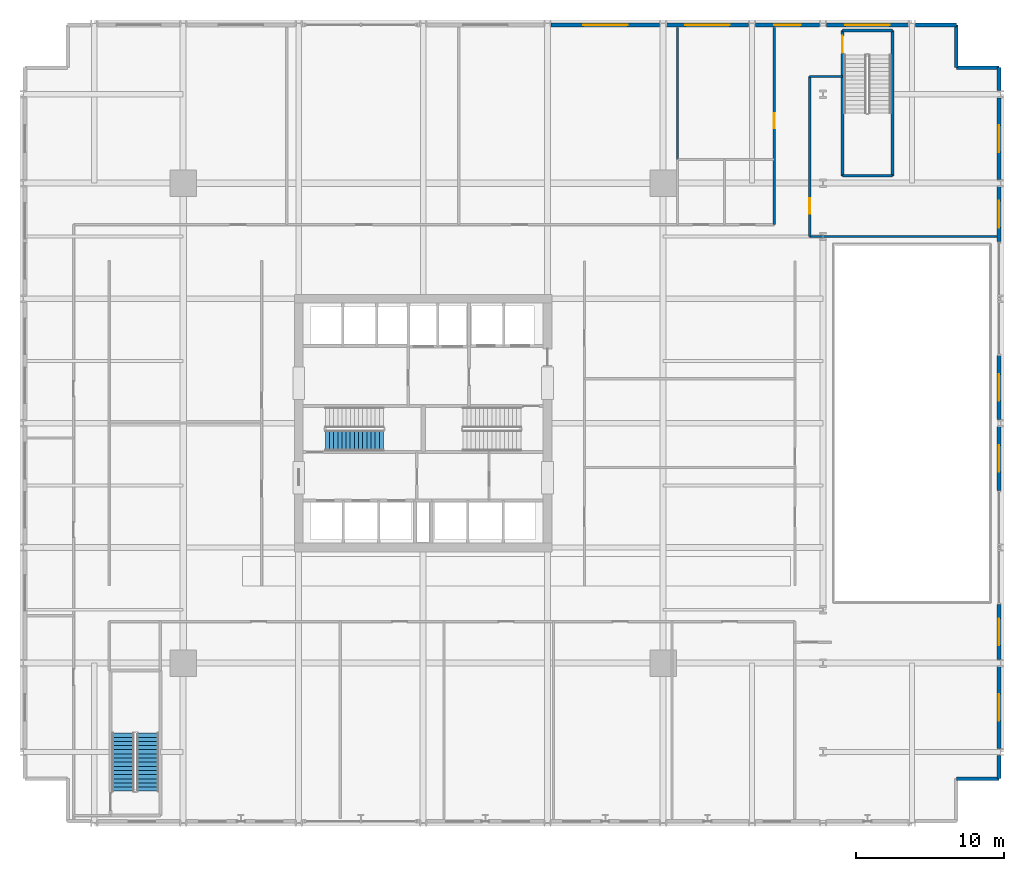
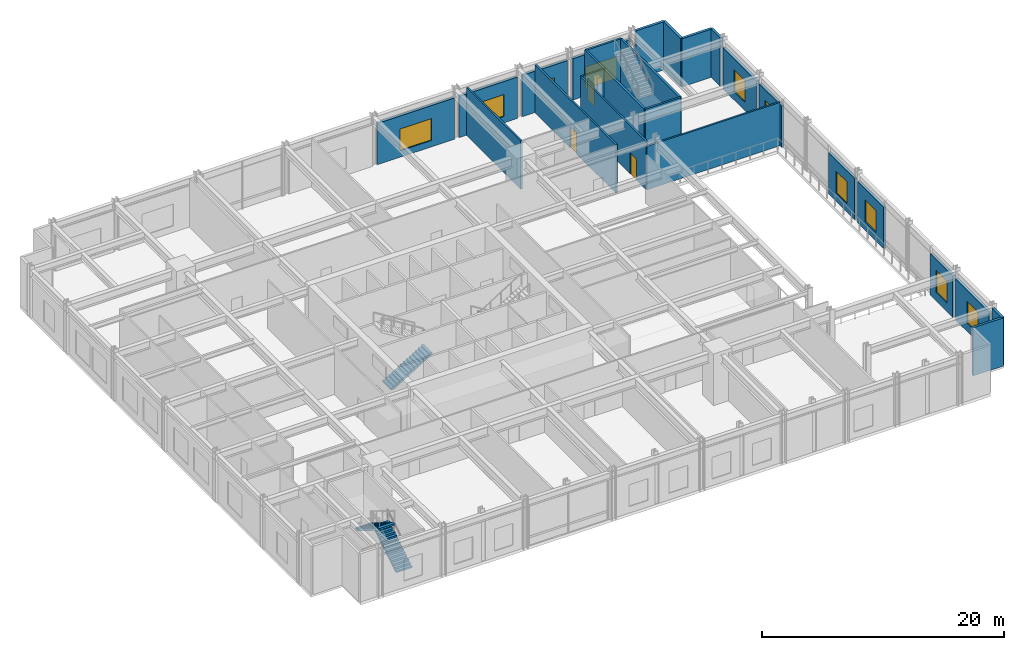
# One storey, part 14 of 21: 25 walls, 10 windows, 3 doors, 3 stair flights, 13 openings, 2 elements without a shape of their own.
"""IFC4 building model written with IfcOpenShell, lengths in metres."""

from ifc_helpers import new_model, si_unit, direction, frame, frame_2d, origin, place, context, subcontext, project, spatial, polyline, rectangle, outline, extrude, material, layer, layer_set, type_object, element, fill, aggregate, save


model = new_model("IFC4")

# Units and contexts
model_context = context("Model", 3, precision=1e-05, world=origin(), true_north=direction((0.0, 1.0)))
body_context = subcontext(model_context, "Body", "Model", "MODEL_VIEW")
ifc_project = project(units=[si_unit("LENGTHUNIT", "METRE"), si_unit("AREAUNIT", "SQUARE_METRE"), si_unit("VOLUMEUNIT", "CUBIC_METRE"), si_unit("PLANEANGLEUNIT", "RADIAN"), si_unit("MASSUNIT", "GRAM", prefix="KILO")], contexts=[model_context])

# Site, building, storey
site_placement = place(None, origin())
site = spatial("IfcSite", under=ifc_project, at=site_placement, CompositionType="ELEMENT")
building_placement = place(site_placement, origin())
building = spatial("IfcBuilding", under=site, at=building_placement, Name="Drelvath Grand Hotel", CompositionType="ELEMENT")
storey_placement = place(building_placement, frame((0.0, 0.0, 22.39990234375)))
storey = spatial("IfcBuildingStorey", under=building, at=storey_placement, Name="L04", CompositionType="ELEMENT", Elevation=22.39990234375)

# Wall, opening, door
ifc_material_1 = material(Name="Concrete C40/50", Category="concrete")
ifc_layer_1 = layer(ifc_material_1, 0.199951171875)
ifc_layer_set_1 = layer_set([ifc_layer_1], Name="Concrete C40/50")
wall_type_1 = type_object("IfcWallType", Name="Core Shaft Fire Wall 200", PredefinedType="SOLIDWALL", material=ifc_layer_set_1)
wall_1_placement = place(storey_placement, frame((28.320068359375, 43.699951171875, 0.0), z_axis=(0.0, 0.0, 1.0), x_axis=(0.0, 1.0, 0.0)))
wall_1 = element("IfcWall", 1, at=wall_1_placement, inside=storey, type_object=wall_type_1, Name="L04 Stair ST-4 West Wall", PredefinedType="SOLIDWALL", context=body_context, shape_type="SweptSolid", body=[
    extrude(rectangle(XDim=9.800048828125, YDim=0.199951171875, at=frame_2d((4.89990234375, 0.0))), origin(), (0.0, 0.0, 1.0), 4.85009765625),
])
opening_1_placement = place(wall_1_placement, frame((8.300048828125, 0.0, 0.0)))
opening_1 = element("IfcOpeningElement", 2, at=opening_1_placement, cuts=wall_1, Name="Opening D-L04-017", PredefinedType="OPENING", context=body_context, shape_type="SweptSolid", body=[
    extrude(rectangle(XDim=1.14990234375, YDim=2.14990234375, at=frame_2d((0.574951171875, 1.074951171875))), frame((0.0, 0.10986328125, 0.0), z_axis=(0.0, -1.0, 0.0), x_axis=(1.0, 0.0, 0.0)), (0.0, 0.0, 1.0), 0.219970703125),
])
ifc_material_2 = material(Name="Painted Steel S275", Category="steel")
door_type_1 = type_object("IfcDoorType", Name="Podium Stairwell Fire Door 1150x2150", OperationType="NOTDEFINED", PredefinedType="DOOR", material=ifc_material_2)
door_1_placement = place(opening_1_placement, origin())
door_1 = element("IfcDoor", 3, at=door_1_placement, inside=storey, type_object=door_type_1, Name="L04 Exit Stair ST-4 Entry Door", OperationType="SINGLE_SWING_RIGHT", OverallHeight=2.14990234375, OverallWidth=1.14990234375, PredefinedType="DOOR", context=body_context, shape_type="SweptSolid", body=[
    extrude(rectangle(XDim=1.14990234375, YDim=2.14990234375, at=frame_2d((0.574951171875, 1.074951171875))), frame((0.0, 0.02490234375, 0.0), z_axis=(0.0, -1.0, 0.0), x_axis=(1.0, 0.0, 0.0)), (0.0, 0.0, 1.0), 0.050048828125),
])
fill(opening_1, door_1)

# Walls
wall_2_placement = place(storey_placement, frame((31.679931640625, 53.5, 0.0), z_axis=(0.0, 0.0, 1.0), x_axis=(0.0, -1.0, 0.0)))
element("IfcWall", 4, at=wall_2_placement, inside=storey, type_object=wall_type_1, Name="L04 Stair ST-4 East Wall", PredefinedType="SOLIDWALL", context=body_context, shape_type="SweptSolid", body=[
    extrude(rectangle(XDim=9.800048828125, YDim=0.199951171875, at=frame_2d((4.89990234375, 0.0))), origin(), (0.0, 0.0, 1.0), 4.85009765625),
])
for number, where, z_axis, x_axis, name in (
    (5, (28.320068359375, 43.699951171875, 0.0), (0.0, 0.0, 1.0), (1.0, 0.0, 0.0), "L04 Stair ST-4 South Wall"),
    (6, (31.679931640625, 53.5, 0.0), (0.0, 0.0, 1.0), (-1.0, 0.0, 0.0), "L04 Stair ST-4 North Wall"),
):
    element("IfcWall", number, at=place(storey_placement, frame(where, z_axis=z_axis, x_axis=x_axis)), inside=storey, type_object=wall_type_1, Name=name, PredefinedType="SOLIDWALL", context=body_context, shape_type="SweptSolid", body=[
        extrude(rectangle(XDim=3.35986328125, YDim=0.199951171875, at=frame_2d((1.679931640625, 0.0))), origin(), (0.0, 0.0, 1.0), 4.85009765625),
    ])
ifc_material_3 = material(Name="Gypsum Acoustic Partition")
ifc_layer_2 = layer(ifc_material_3, 0.14990234375)
ifc_layer_set_2 = layer_set([ifc_layer_2], Name="Gypsum Acoustic Partition")
wall_type_2 = type_object("IfcWallType", Name="Guestroom Demising Wall 150", PredefinedType="PARTITIONING", material=ifc_layer_set_2)
wall_3_placement = place(storey_placement, frame((17.179931640625, 44.800048828125, 0.0), z_axis=(0.0, 0.0, 1.0), x_axis=(0.0, 1.0, 0.0)))
element("IfcWall", 7, at=wall_3_placement, inside=storey, type_object=wall_type_2, Name="L04 North Corner Boardroom Wall", PredefinedType="PARTITIONING", context=body_context, shape_type="SweptSolid", body=[
    extrude(rectangle(XDim=8.89990234375, YDim=0.14990234375, at=frame_2d((4.449951171875, 0.0))), origin(), (0.0, 0.0, 1.0), 4.85009765625),
])
ifc_material_4 = material(Name="Insulated Granite Rainscreen Assembly", Category="masonry")
ifc_layer_3 = layer(ifc_material_4, 0.239990234375)
ifc_layer_set_3 = layer_set([ifc_layer_3], Name="Insulated Granite Rainscreen Assembly")
wall_type_3 = type_object("IfcWallType", Name="Podium Granite Rainscreen Exterior Wall 240", PredefinedType="STANDARD", material=ifc_layer_set_3)
wall_4_placement = place(storey_placement, frame((38.8798828125, 4.55908203125, 0.0), z_axis=(0.0, 0.0, 1.0), x_axis=(0.0, -1.0, 0.0)))
element("IfcWall", 8, at=wall_4_placement, inside=storey, type_object=wall_type_3, Name="L04 East Podium Granite Wall 1", PredefinedType="STANDARD", context=body_context, shape_type="SweptSolid", body=[
    extrude(rectangle(XDim=1.55908203125, YDim=0.239990234375, at=frame_2d((0.779541015625, 0.0))), origin(), (0.0, 0.0, 1.0), 4.85009765625),
])

# Wall, opening, window
wall_5_placement = place(storey_placement, frame((38.8798828125, 10.55908203125, 0.0), z_axis=(0.0, 0.0, 1.0), x_axis=(0.0, -1.0, 0.0)))
wall_5 = element("IfcWall", 9, at=wall_5_placement, inside=storey, type_object=wall_type_3, Name="L04 East Podium Granite Wall 2", PredefinedType="STANDARD", context=body_context, shape_type="SweptSolid", body=[
    extrude(rectangle(XDim=5.51806640625, YDim=0.239990234375, at=frame_2d((2.759033203125, 0.0))), origin(), (0.0, 0.0, 1.0), 4.154541015625),
])
opening_2_placement = place(wall_5_placement, frame((1.859130859375, 0.0, 0.85009765625)))
opening_2 = element("IfcOpeningElement", 10, at=opening_2_placement, cuts=wall_5, Name="Opening W-02", PredefinedType="OPENING", context=body_context, shape_type="SweptSolid", body=[
    extrude(rectangle(XDim=1.800048828125, YDim=2.199951171875, at=frame_2d((0.89990234375, 1.10009765625))), frame((0.0, 0.1298828125, 0.0), z_axis=(0.0, -1.0, 0.0), x_axis=(1.0, 0.0, 0.0)), (0.0, 0.0, 1.0), 0.260009765625),
])
ifc_material_5 = material(Name="Bronze Anodised Low-E Triple Glazing", Category="glass")
window_type_1 = type_object("IfcWindowType", Name="Chicago Double-Pane Podium Window 1800x2400", PartitioningType="DOUBLE_PANEL_VERTICAL", PredefinedType="WINDOW", material=ifc_material_5)
window_1_placement = place(opening_2_placement, origin())
window_1 = element("IfcWindow", 11, at=window_1_placement, inside=storey, type_object=window_type_1, Name="L04 East Podium Window 2", OverallHeight=2.199951171875, OverallWidth=1.800048828125, PartitioningType="SINGLE_PANEL", PredefinedType="WINDOW", context=body_context, shape_type="SweptSolid", body=[
    extrude(rectangle(XDim=1.800048828125, YDim=2.199951171875, at=frame_2d((0.89990234375, 1.10009765625))), frame((0.0, 0.030029296875, 0.0), z_axis=(0.0, -1.0, 0.0), x_axis=(1.0, 0.0, 0.0)), (0.0, 0.0, 1.0), 0.06005859375),
])
fill(opening_2, window_1)

wall_6_placement = place(storey_placement, frame((38.8798828125, 14.75, 0.0), z_axis=(0.0, 0.0, 1.0), x_axis=(0.0, -1.0, 0.0)))
wall_6 = element("IfcWall", 12, at=wall_6_placement, inside=storey, type_object=wall_type_3, Name="L04 East Podium Granite Wall 3", PredefinedType="STANDARD", context=body_context, shape_type="SweptSolid", body=[
    extrude(rectangle(XDim=3.708984375, YDim=0.239990234375, at=frame_2d((1.8544921875, 0.0))), origin(), (0.0, 0.0, 1.0), 4.154541015625),
])
opening_3_placement = place(wall_6_placement, frame((0.95458984375, 0.0, 0.85009765625)))
opening_3 = element("IfcOpeningElement", 13, at=opening_3_placement, cuts=wall_6, Name="Opening W-02", PredefinedType="OPENING", context=body_context, shape_type="SweptSolid", body=[
    extrude(rectangle(XDim=1.800048828125, YDim=2.199951171875, at=frame_2d((0.89990234375, 1.10009765625))), frame((0.0, 0.1298828125, 0.0), z_axis=(0.0, -1.0, 0.0), x_axis=(1.0, 0.0, 0.0)), (0.0, 0.0, 1.0), 0.260009765625),
])
window_2_placement = place(opening_3_placement, origin())
window_2 = element("IfcWindow", 14, at=window_2_placement, inside=storey, type_object=window_type_1, Name="L04 East Podium Window 3", OverallHeight=2.199951171875, OverallWidth=1.800048828125, PartitioningType="SINGLE_PANEL", PredefinedType="WINDOW", context=body_context, shape_type="SweptSolid", body=[
    extrude(rectangle(XDim=1.800048828125, YDim=2.199951171875, at=frame_2d((0.89990234375, 1.10009765625))), frame((0.0, 0.030029296875, 0.0), z_axis=(0.0, -1.0, 0.0), x_axis=(1.0, 0.0, 0.0)), (0.0, 0.0, 1.0), 0.06005859375),
])
fill(opening_3, window_2)

wall_7_placement = place(storey_placement, frame((38.8798828125, 26.759033203125, 0.0), z_axis=(0.0, 0.0, 1.0), x_axis=(0.0, -1.0, 0.0)))
wall_7 = element("IfcWall", 15, at=wall_7_placement, inside=storey, type_object=wall_type_3, Name="L04 East Podium Granite Wall 4", PredefinedType="STANDARD", context=body_context, shape_type="SweptSolid", body=[
    extrude(rectangle(XDim=4.30908203125, YDim=0.239990234375, at=frame_2d((2.154541015625, 0.0))), origin(), (0.0, 0.0, 1.0), 4.154541015625),
])
opening_4_placement = place(wall_7_placement, frame((1.254638671875, 0.0, 0.85009765625)))
opening_4 = element("IfcOpeningElement", 16, at=opening_4_placement, cuts=wall_7, Name="Opening W-02", PredefinedType="OPENING", context=body_context, shape_type="SweptSolid", body=[
    extrude(rectangle(XDim=1.800048828125, YDim=2.199951171875, at=frame_2d((0.89990234375, 1.10009765625))), frame((0.0, 0.1298828125, 0.0), z_axis=(0.0, -1.0, 0.0), x_axis=(1.0, 0.0, 0.0)), (0.0, 0.0, 1.0), 0.260009765625),
])
window_3_placement = place(opening_4_placement, origin())
window_3 = element("IfcWindow", 17, at=window_3_placement, inside=storey, type_object=window_type_1, Name="L04 East Podium Window 4", OverallHeight=2.199951171875, OverallWidth=1.800048828125, PartitioningType="SINGLE_PANEL", PredefinedType="WINDOW", context=body_context, shape_type="SweptSolid", body=[
    extrude(rectangle(XDim=1.800048828125, YDim=2.199951171875, at=frame_2d((0.89990234375, 1.10009765625))), frame((0.0, 0.030029296875, 0.0), z_axis=(0.0, -1.0, 0.0), x_axis=(1.0, 0.0, 0.0)), (0.0, 0.0, 1.0), 0.06005859375),
])
fill(opening_4, window_3)

wall_8_placement = place(storey_placement, frame((38.8798828125, 31.550048828125, 0.0), z_axis=(0.0, 0.0, 1.0), x_axis=(0.0, -1.0, 0.0)))
wall_8 = element("IfcWall", 18, at=wall_8_placement, inside=storey, type_object=wall_type_3, Name="L04 East Podium Granite Wall 5", PredefinedType="STANDARD", context=body_context, shape_type="SweptSolid", body=[
    extrude(rectangle(XDim=4.30908203125, YDim=0.239990234375, at=frame_2d((2.154541015625, 0.0))), origin(), (0.0, 0.0, 1.0), 4.154541015625),
])
opening_5_placement = place(wall_8_placement, frame((1.254638671875, 0.0, 0.85009765625)))
opening_5 = element("IfcOpeningElement", 19, at=opening_5_placement, cuts=wall_8, Name="Opening W-02", PredefinedType="OPENING", context=body_context, shape_type="SweptSolid", body=[
    extrude(rectangle(XDim=1.800048828125, YDim=2.199951171875, at=frame_2d((0.89990234375, 1.10009765625))), frame((0.0, 0.1298828125, 0.0), z_axis=(0.0, -1.0, 0.0), x_axis=(1.0, 0.0, 0.0)), (0.0, 0.0, 1.0), 0.260009765625),
])
window_4_placement = place(opening_5_placement, origin())
window_4 = element("IfcWindow", 20, at=window_4_placement, inside=storey, type_object=window_type_1, Name="L04 East Podium Window 5", OverallHeight=2.199951171875, OverallWidth=1.800048828125, PartitioningType="SINGLE_PANEL", PredefinedType="WINDOW", context=body_context, shape_type="SweptSolid", body=[
    extrude(rectangle(XDim=1.800048828125, YDim=2.199951171875, at=frame_2d((0.89990234375, 1.10009765625))), frame((0.0, 0.030029296875, 0.0), z_axis=(0.0, -1.0, 0.0), x_axis=(1.0, 0.0, 0.0)), (0.0, 0.0, 1.0), 0.06005859375),
])
fill(opening_5, window_4)

wall_9_placement = place(storey_placement, frame((38.8798828125, 42.958984375, 0.0), z_axis=(0.0, 0.0, 1.0), x_axis=(0.0, -1.0, 0.0)))
wall_9 = element("IfcWall", 21, at=wall_9_placement, inside=storey, type_object=wall_type_3, Name="L04 East Podium Granite Wall 6", PredefinedType="STANDARD", context=body_context, shape_type="SweptSolid", body=[
    extrude(rectangle(XDim=3.708984375, YDim=0.239990234375, at=frame_2d((1.8544921875, 0.0))), origin(), (0.0, 0.0, 1.0), 4.154541015625),
])
opening_6_placement = place(wall_9_placement, frame((0.95458984375, 0.0, 0.85009765625)))
opening_6 = element("IfcOpeningElement", 22, at=opening_6_placement, cuts=wall_9, Name="Opening W-02", PredefinedType="OPENING", context=body_context, shape_type="SweptSolid", body=[
    extrude(rectangle(XDim=1.800048828125, YDim=2.199951171875, at=frame_2d((0.89990234375, 1.10009765625))), frame((0.0, 0.1298828125, 0.0), z_axis=(0.0, -1.0, 0.0), x_axis=(1.0, 0.0, 0.0)), (0.0, 0.0, 1.0), 0.260009765625),
])
window_5_placement = place(opening_6_placement, origin())
window_5 = element("IfcWindow", 23, at=window_5_placement, inside=storey, type_object=window_type_1, Name="L04 East Podium Window 6", OverallHeight=2.199951171875, OverallWidth=1.800048828125, PartitioningType="SINGLE_PANEL", PredefinedType="WINDOW", context=body_context, shape_type="SweptSolid", body=[
    extrude(rectangle(XDim=1.800048828125, YDim=2.199951171875, at=frame_2d((0.89990234375, 1.10009765625))), frame((0.0, 0.030029296875, 0.0), z_axis=(0.0, -1.0, 0.0), x_axis=(1.0, 0.0, 0.0)), (0.0, 0.0, 1.0), 0.06005859375),
])
fill(opening_6, window_5)

wall_10_placement = place(storey_placement, frame((38.8798828125, 48.958984375, 0.0), z_axis=(0.0, 0.0, 1.0), x_axis=(0.0, -1.0, 0.0)))
wall_10 = element("IfcWall", 24, at=wall_10_placement, inside=storey, type_object=wall_type_3, Name="L04 East Podium Granite Wall 7", PredefinedType="STANDARD", context=body_context, shape_type="SweptSolid", body=[
    extrude(rectangle(XDim=5.51806640625, YDim=0.239990234375, at=frame_2d((2.759033203125, 0.0))), origin(), (0.0, 0.0, 1.0), 4.154541015625),
])
opening_7_placement = place(wall_10_placement, frame((1.859130859375, 0.0, 0.85009765625)))
opening_7 = element("IfcOpeningElement", 25, at=opening_7_placement, cuts=wall_10, Name="Opening W-02", PredefinedType="OPENING", context=body_context, shape_type="SweptSolid", body=[
    extrude(rectangle(XDim=1.800048828125, YDim=2.199951171875, at=frame_2d((0.89990234375, 1.10009765625))), frame((0.0, 0.1298828125, 0.0), z_axis=(0.0, -1.0, 0.0), x_axis=(1.0, 0.0, 0.0)), (0.0, 0.0, 1.0), 0.260009765625),
])
window_6_placement = place(opening_7_placement, origin())
window_6 = element("IfcWindow", 26, at=window_6_placement, inside=storey, type_object=window_type_1, Name="L04 East Podium Window 7", OverallHeight=2.199951171875, OverallWidth=1.800048828125, PartitioningType="SINGLE_PANEL", PredefinedType="WINDOW", context=body_context, shape_type="SweptSolid", body=[
    extrude(rectangle(XDim=1.800048828125, YDim=2.199951171875, at=frame_2d((0.89990234375, 1.10009765625))), frame((0.0, 0.030029296875, 0.0), z_axis=(0.0, -1.0, 0.0), x_axis=(1.0, 0.0, 0.0)), (0.0, 0.0, 1.0), 0.06005859375),
])
fill(opening_7, window_6)

# Wall
wall_11_placement = place(storey_placement, frame((38.8798828125, 51.0, 0.0), z_axis=(0.0, 0.0, 1.0), x_axis=(0.0, -1.0, 0.0)))
element("IfcWall", 27, at=wall_11_placement, inside=storey, type_object=wall_type_3, Name="L04 East Podium Granite Wall 8", PredefinedType="STANDARD", context=body_context, shape_type="SweptSolid", body=[
    extrude(rectangle(XDim=1.55908203125, YDim=0.239990234375, at=frame_2d((0.779541015625, 0.0))), origin(), (0.0, 0.0, 1.0), 4.85009765625),
])

# Wall, opening, window
wall_12_placement = place(storey_placement, frame((8.640869140625, 53.8798828125, 0.0), z_axis=(0.0, 0.0, 1.0), x_axis=(1.0, 0.0, 0.0)))
wall_12 = element("IfcWall", 28, at=wall_12_placement, inside=storey, type_object=wall_type_3, Name="L04 North Podium Granite Wall 7", PredefinedType="STANDARD", context=body_context, shape_type="SweptSolid", body=[
    extrude(rectangle(XDim=7.318115234375, YDim=0.239990234375, at=frame_2d((3.6591796875, 0.0))), origin(), (0.0, 0.0, 1.0), 4.154541015625),
])
opening_8_placement = place(wall_12_placement, frame((2.1591796875, 0.0, 0.64990234375)))
opening_8 = element("IfcOpeningElement", 29, at=opening_8_placement, cuts=wall_12, Name="Opening W-03", PredefinedType="OPENING", context=body_context, shape_type="SweptSolid", body=[
    extrude(rectangle(XDim=3.0, YDim=2.199951171875, at=frame_2d((1.5, 1.10009765625))), frame((0.0, 0.1298828125, 0.0), z_axis=(0.0, -1.0, 0.0), x_axis=(1.0, 0.0, 0.0)), (0.0, 0.0, 1.0), 0.260009765625),
])
window_type_2 = type_object("IfcWindowType", Name="Podium Clerestory Ribbon Window 3000x2200", PartitioningType="TRIPLE_PANEL_VERTICAL", PredefinedType="WINDOW", material=ifc_material_5)
window_7_placement = place(opening_8_placement, origin())
window_7 = element("IfcWindow", 30, at=window_7_placement, inside=storey, type_object=window_type_2, Name="L04 North Chicago Window 7", OverallHeight=2.199951171875, OverallWidth=3.0, PartitioningType="SINGLE_PANEL", PredefinedType="WINDOW", context=body_context, shape_type="SweptSolid", body=[
    extrude(rectangle(XDim=3.0, YDim=2.199951171875, at=frame_2d((1.5, 1.10009765625))), frame((0.0, 0.030029296875, 0.0), z_axis=(0.0, -1.0, 0.0), x_axis=(1.0, 0.0, 0.0)), (0.0, 0.0, 1.0), 0.06005859375),
])
fill(opening_8, window_7)

wall_13_placement = place(storey_placement, frame((16.44091796875, 53.8798828125, 0.0), z_axis=(0.0, 0.0, 1.0), x_axis=(1.0, 0.0, 0.0)))
wall_13 = element("IfcWall", 31, at=wall_13_placement, inside=storey, type_object=wall_type_3, Name="L04 North Podium Granite Wall 8", PredefinedType="STANDARD", context=body_context, shape_type="SweptSolid", body=[
    extrude(rectangle(XDim=5.51806640625, YDim=0.239990234375, at=frame_2d((2.759033203125, 0.0))), origin(), (0.0, 0.0, 1.0), 4.154541015625),
])
opening_9_placement = place(wall_13_placement, frame((1.259033203125, 0.0, 0.64990234375)))
opening_9 = element("IfcOpeningElement", 32, at=opening_9_placement, cuts=wall_13, Name="Opening W-03", PredefinedType="OPENING", context=body_context, shape_type="SweptSolid", body=[
    extrude(rectangle(XDim=3.0, YDim=2.199951171875, at=frame_2d((1.5, 1.10009765625))), frame((0.0, 0.1298828125, 0.0), z_axis=(0.0, -1.0, 0.0), x_axis=(1.0, 0.0, 0.0)), (0.0, 0.0, 1.0), 0.260009765625),
])
window_8_placement = place(opening_9_placement, origin())
window_8 = element("IfcWindow", 33, at=window_8_placement, inside=storey, type_object=window_type_2, Name="L04 North Chicago Window 8", OverallHeight=2.199951171875, OverallWidth=3.0, PartitioningType="SINGLE_PANEL", PredefinedType="WINDOW", context=body_context, shape_type="SweptSolid", body=[
    extrude(rectangle(XDim=3.0, YDim=2.199951171875, at=frame_2d((1.5, 1.10009765625))), frame((0.0, 0.030029296875, 0.0), z_axis=(0.0, -1.0, 0.0), x_axis=(1.0, 0.0, 0.0)), (0.0, 0.0, 1.0), 0.06005859375),
])
fill(opening_9, window_8)

wall_14_placement = place(storey_placement, frame((22.44091796875, 53.8798828125, 0.0), z_axis=(0.0, 0.0, 1.0), x_axis=(1.0, 0.0, 0.0)))
wall_14 = element("IfcWall", 34, at=wall_14_placement, inside=storey, type_object=wall_type_3, Name="L04 North Podium Granite Wall 9", PredefinedType="STANDARD", context=body_context, shape_type="SweptSolid", body=[
    extrude(rectangle(XDim=4.318115234375, YDim=0.239990234375, at=frame_2d((2.1591796875, 0.0))), origin(), (0.0, 0.0, 1.0), 4.154541015625),
])
opening_10_placement = place(wall_14_placement, frame((1.259033203125, 0.0, 0.64990234375)))
opening_10 = element("IfcOpeningElement", 35, at=opening_10_placement, cuts=wall_14, Name="Opening W-02", PredefinedType="OPENING", context=body_context, shape_type="SweptSolid", body=[
    extrude(rectangle(XDim=1.800048828125, YDim=2.199951171875, at=frame_2d((0.89990234375, 1.10009765625))), frame((0.0, 0.1298828125, 0.0), z_axis=(0.0, -1.0, 0.0), x_axis=(1.0, 0.0, 0.0)), (0.0, 0.0, 1.0), 0.260009765625),
])
window_9_placement = place(opening_10_placement, origin())
window_9 = element("IfcWindow", 36, at=window_9_placement, inside=storey, type_object=window_type_1, Name="L04 North Chicago Window 9", OverallHeight=2.199951171875, OverallWidth=1.800048828125, PartitioningType="SINGLE_PANEL", PredefinedType="WINDOW", context=body_context, shape_type="SweptSolid", body=[
    extrude(rectangle(XDim=1.800048828125, YDim=2.199951171875, at=frame_2d((0.89990234375, 1.10009765625))), frame((0.0, 0.030029296875, 0.0), z_axis=(0.0, -1.0, 0.0), x_axis=(1.0, 0.0, 0.0)), (0.0, 0.0, 1.0), 0.06005859375),
])
fill(opening_10, window_9)

wall_15_placement = place(storey_placement, frame((27.240966796875, 53.8798828125, 0.0), z_axis=(0.0, 0.0, 1.0), x_axis=(1.0, 0.0, 0.0)))
wall_15 = element("IfcWall", 37, at=wall_15_placement, inside=storey, type_object=wall_type_3, Name="L04 North Podium Granite Wall 10", PredefinedType="STANDARD", context=body_context, shape_type="SweptSolid", body=[
    extrude(rectangle(XDim=5.51806640625, YDim=0.239990234375, at=frame_2d((2.759033203125, 0.0))), origin(), (0.0, 0.0, 1.0), 4.154541015625),
])
opening_11_placement = place(wall_15_placement, frame((1.259033203125, 0.0, 0.64990234375)))
opening_11 = element("IfcOpeningElement", 38, at=opening_11_placement, cuts=wall_15, Name="Opening W-03", PredefinedType="OPENING", context=body_context, shape_type="SweptSolid", body=[
    extrude(rectangle(XDim=3.0, YDim=2.199951171875, at=frame_2d((1.5, 1.10009765625))), frame((0.0, 0.1298828125, 0.0), z_axis=(0.0, -1.0, 0.0), x_axis=(1.0, 0.0, 0.0)), (0.0, 0.0, 1.0), 0.260009765625),
])
window_10_placement = place(opening_11_placement, origin())
window_10 = element("IfcWindow", 39, at=window_10_placement, inside=storey, type_object=window_type_2, Name="L04 North Chicago Window 10", OverallHeight=2.199951171875, OverallWidth=3.0, PartitioningType="SINGLE_PANEL", PredefinedType="WINDOW", context=body_context, shape_type="SweptSolid", body=[
    extrude(rectangle(XDim=3.0, YDim=2.199951171875, at=frame_2d((1.5, 1.10009765625))), frame((0.0, 0.030029296875, 0.0), z_axis=(0.0, -1.0, 0.0), x_axis=(1.0, 0.0, 0.0)), (0.0, 0.0, 1.0), 0.06005859375),
])
fill(opening_11, window_10)

# Walls
wall_16_placement = place(storey_placement, frame((33.240966796875, 53.8798828125, 0.0), z_axis=(0.0, 0.0, 1.0), x_axis=(1.0, 0.0, 0.0)))
element("IfcWall", 40, at=wall_16_placement, inside=storey, type_object=wall_type_3, Name="L04 North Podium Granite Wall 11", PredefinedType="STANDARD", context=body_context, shape_type="SweptSolid", body=[
    extrude(rectangle(XDim=2.759033203125, YDim=0.239990234375, at=frame_2d((1.37939453125, 0.0))), origin(), (0.0, 0.0, 1.0), 4.85009765625),
])
for number, where, z_axis, x_axis, name in (
    (41, (36.0, 53.8798828125, 0.0), (0.0, 0.0, 1.0), (0.0, -1.0, 0.0), "L04 Podium Corner Return Wall CNE1"),
    (42, (36.0, 51.0, 0.0), (0.0, 0.0, 1.0), (1.0, 0.0, 0.0), "L04 Podium Corner Return Wall CNE2"),
    (43, (38.8798828125, 3.0, 0.0), (0.0, 0.0, 1.0), (-1.0, 0.0, 0.0), "L04 Podium Corner Return Wall CSE1"),
):
    element("IfcWall", number, at=place(storey_placement, frame(where, z_axis=z_axis, x_axis=x_axis)), inside=storey, type_object=wall_type_3, Name=name, PredefinedType="STANDARD", context=body_context, shape_type="SweptSolid", body=[
        extrude(rectangle(XDim=2.8798828125, YDim=0.239990234375, at=frame_2d((1.43994140625, 0.0))), origin(), (0.0, 0.0, 1.0), 4.85009765625),
    ])

# Wall, opening, door
ifc_layer_4 = layer(ifc_material_3, 0.1650390625)
ifc_layer_set_4 = layer_set([ifc_layer_4], Name="Gypsum Acoustic Partition")
wall_type_4 = type_object("IfcWallType", Name="Suite Demising Wall 165", PredefinedType="PARTITIONING", material=ifc_layer_set_4)
wall_17_placement = place(storey_placement, frame((23.699951171875, 40.39990234375, 0.0), z_axis=(0.0, 0.0, 1.0), x_axis=(0.0, 1.0, 0.0)))
wall_17 = element("IfcWall", 44, at=wall_17_placement, inside=storey, type_object=wall_type_4, Name="L04 ST-4 Spur Wall", PredefinedType="PARTITIONING", context=body_context, shape_type="SweptSolid", body=[
    extrude(rectangle(XDim=13.300048828125, YDim=0.1650390625, at=frame_2d((6.64990234375, 0.0))), origin(), (0.0, 0.0, 1.0), 4.85009765625),
])
opening_12_placement = place(wall_17_placement, frame((6.5, 0.0, 0.0)))
opening_12 = element("IfcOpeningElement", 45, at=opening_12_placement, cuts=wall_17, Name="Opening D-L04-018", PredefinedType="OPENING", context=body_context, shape_type="SweptSolid", body=[
    extrude(rectangle(XDim=1.02001953125, YDim=2.14990234375, at=frame_2d((0.510009765625, 1.074951171875))), frame((0.0, 0.092529296875, 0.0), z_axis=(0.0, -1.0, 0.0), x_axis=(1.0, 0.0, 0.0)), (0.0, 0.0, 1.0), 0.18505859375),
])
ifc_material_6 = material(Name="Hardwood Walnut Timber", Category="wood")
door_type_2 = type_object("IfcDoorType", Name="Amenity Meeting Fire Door 1020x2150", OperationType="NOTDEFINED", PredefinedType="DOOR", material=ifc_material_6)
door_2_placement = place(opening_12_placement, origin())
door_2 = element("IfcDoor", 46, at=door_2_placement, inside=storey, type_object=door_type_2, Name="L04 North Corner Boardroom Door", OperationType="SINGLE_SWING_LEFT", OverallHeight=2.14990234375, OverallWidth=1.02001953125, PredefinedType="DOOR", context=body_context, shape_type="SweptSolid", body=[
    extrude(rectangle(XDim=1.02001953125, YDim=2.14990234375, at=frame_2d((0.510009765625, 1.074951171875))), frame((0.0, 0.02490234375, 0.0), z_axis=(0.0, -1.0, 0.0), x_axis=(1.0, 0.0, 0.0)), (0.0, 0.0, 1.0), 0.050048828125),
])
fill(opening_12, door_2)

wall_18_placement = place(storey_placement, frame((26.10009765625, 39.60009765625, 0.0), z_axis=(0.0, 0.0, 1.0), x_axis=(0.0, 1.0, 0.0)))
wall_18 = element("IfcWall", 47, at=wall_18_placement, inside=storey, type_object=wall_type_4, Name="L04 ST-4 Spur East Wall", PredefinedType="PARTITIONING", context=body_context, shape_type="SweptSolid", body=[
    extrude(rectangle(XDim=10.7998046875, YDim=0.1650390625, at=frame_2d((5.39990234375, 0.0))), origin(), (0.0, 0.0, 1.0), 4.85009765625),
])
opening_13_placement = place(wall_18_placement, frame((1.550048828125, 0.0, 0.0)))
opening_13 = element("IfcOpeningElement", 48, at=opening_13_placement, cuts=wall_18, Name="Opening D-L04-022", PredefinedType="OPENING", context=body_context, shape_type="SweptSolid", body=[
    extrude(rectangle(XDim=1.02001953125, YDim=2.14990234375, at=frame_2d((0.510009765625, 1.074951171875))), frame((0.0, 0.092529296875, 0.0), z_axis=(0.0, -1.0, 0.0), x_axis=(1.0, 0.0, 0.0)), (0.0, 0.0, 1.0), 0.18505859375),
])
door_3_placement = place(opening_13_placement, origin())
door_3 = element("IfcDoor", 49, at=door_3_placement, inside=storey, type_object=door_type_2, Name="L04 NE Executive Office Door", OperationType="SINGLE_SWING_LEFT", OverallHeight=2.14990234375, OverallWidth=1.02001953125, PredefinedType="DOOR", context=body_context, shape_type="SweptSolid", body=[
    extrude(rectangle(XDim=1.02001953125, YDim=2.14990234375, at=frame_2d((0.510009765625, 1.074951171875))), frame((0.0, 0.02490234375, 0.0), z_axis=(0.0, -1.0, 0.0), x_axis=(1.0, 0.0, 0.0)), (0.0, 0.0, 1.0), 0.050048828125),
])
fill(opening_13, door_3)

# Walls
wall_19_placement = place(storey_placement, frame((26.10009765625, 50.39990234375, 0.0), z_axis=(0.0, 0.0, 1.0), x_axis=(1.0, 0.0, 0.0)))
element("IfcWall", 50, at=wall_19_placement, inside=storey, type_object=wall_type_4, Name="L04 ST-4 Vestibule South Wall", PredefinedType="PARTITIONING", context=body_context, shape_type="SweptSolid", body=[
    extrude(rectangle(XDim=2.219970703125, YDim=0.1650390625, at=frame_2d((1.10986328125, 0.0))), origin(), (0.0, 0.0, 1.0), 4.85009765625),
])
wall_20_placement = place(storey_placement, frame((26.10009765625, 39.60009765625, 0.0), z_axis=(0.0, 0.0, 1.0), x_axis=(1.0, 0.0, 0.0)))
element("IfcWall", 51, at=wall_20_placement, inside=storey, type_object=wall_type_4, Name="L04 NE Wing South Wall", PredefinedType="PARTITIONING", context=body_context, shape_type="SweptSolid", body=[
    extrude(rectangle(XDim=12.659912109375, YDim=0.1650390625, at=frame_2d((6.330078125, 0.0))), origin(), (0.0, 0.0, 1.0), 4.375),
])

# Stair, stair flight
stair_type_1 = type_object("IfcStairType", Name="Dogleg Exit Stair W1400-R173.3", PredefinedType="HALF_TURN_STAIR", material=ifc_material_1)
stair_1_placement = place(storey_placement, origin())
stair_1 = element("IfcStair", 52, at=stair_1_placement, inside=storey, type_object=stair_type_1, Name="L04 Core Exit Stair ST-1", PredefinedType="HALF_TURN_STAIR")
stair_flight_type_1 = type_object("IfcStairFlightType", Name="Concrete Stair Flight W1400-R173.3", PredefinedType="STRAIGHT", material=ifc_material_1)
stair_flight_1_placement = place(storey_placement, frame((-6.60009765625, 25.820068359375, 0.0), z_axis=(0.0, 0.0, 1.0), x_axis=(1.0, 0.0, 0.0)))
stair_flight_1 = element("IfcStairFlight", 53, at=stair_flight_1_placement, type_object=stair_flight_type_1, Name="ST-1 flight 1", NumberOfRisers=15, NumberOfTreads=14, PredefinedType="STRAIGHT", RiserHeight=0.173333333, TreadLength=0.28, context=body_context, shape_type="SweptSolid", body=[
    extrude(outline(polyline([(0.0, 0.0), (0.0, 0.17333984375), (0.280029296875, 0.17333984375), (0.280029296875, 0.3466796875), (0.56005859375, 0.3466796875), (0.56005859375, 0.52001953125), (0.840087890625, 0.52001953125), (0.840087890625, 0.693359375), (1.1201171875, 0.693359375), (1.1201171875, 0.86669921875), (1.39990234375, 0.86669921875), (1.39990234375, 1.0400390625), (1.679931640625, 1.0400390625), (1.679931640625, 1.21337890625), (1.9599609375, 1.21337890625), (1.9599609375, 1.38671875), (2.239990234375, 1.38671875), (2.239990234375, 1.56005859375), (2.52001953125, 1.56005859375), (2.52001953125, 1.7333984375), (2.800048828125, 1.7333984375), (2.800048828125, 1.90673828125), (3.080078125, 1.90673828125), (3.080078125, 2.080078125), (3.360107421875, 2.080078125), (3.360107421875, 2.25341796875), (3.639892578125, 2.25341796875), (3.639892578125, 2.4267578125), (3.919921875, 2.4267578125), (3.919921875, 2.60009765625), (3.919921875, 2.238525390625), (0.3037109375, 0.0), (0.0, 0.0)])), frame((0.0, 0.699951171875, 0.0), z_axis=(0.0, -1.0, 0.0), x_axis=(1.0, 0.0, 0.0)), (0.0, 0.0, 1.0), 1.39990234375),
])
aggregate(stair_1, [stair_flight_1])

# Stair, stair flights
stair_type_2 = type_object("IfcStairType", Name="Dogleg Exit Stair W1500-R173.3", PredefinedType="HALF_TURN_STAIR", material=ifc_material_1)
stair_2_placement = place(storey_placement, origin())
stair_2 = element("IfcStair", 54, at=stair_2_placement, inside=storey, type_object=stair_type_2, Name="L04 Podium Exit Stair ST-3", PredefinedType="HALF_TURN_STAIR")
stair_flight_type_2 = type_object("IfcStairFlightType", Name="Concrete Stair Flight W1500-R173.3", PredefinedType="STRAIGHT", material=ifc_material_1)
stair_flight_2_placement = place(storey_placement, frame((-18.590087890625, 2.14990234375, 0.0), z_axis=(0.0, 0.0, 1.0), x_axis=(0.0, 1.0, 0.0)))
stair_flight_2 = element("IfcStairFlight", 55, at=stair_flight_2_placement, type_object=stair_flight_type_2, Name="ST-3 flight 1", NumberOfRisers=15, NumberOfTreads=14, PredefinedType="STRAIGHT", RiserHeight=0.173333333, TreadLength=0.28, context=body_context, shape_type="SweptSolid", body=[
    extrude(outline(polyline([(0.0, 0.0), (0.0, 0.17333984375), (0.280029296875, 0.17333984375), (0.280029296875, 0.3466796875), (0.56005859375, 0.3466796875), (0.56005859375, 0.52001953125), (0.840087890625, 0.52001953125), (0.840087890625, 0.693359375), (1.1201171875, 0.693359375), (1.1201171875, 0.86669921875), (1.39990234375, 0.86669921875), (1.39990234375, 1.0400390625), (1.679931640625, 1.0400390625), (1.679931640625, 1.21337890625), (1.9599609375, 1.21337890625), (1.9599609375, 1.38671875), (2.239990234375, 1.38671875), (2.239990234375, 1.56005859375), (2.52001953125, 1.56005859375), (2.52001953125, 1.7333984375), (2.800048828125, 1.7333984375), (2.800048828125, 1.90673828125), (3.080078125, 1.90673828125), (3.080078125, 2.080078125), (3.360107421875, 2.080078125), (3.360107421875, 2.25341796875), (3.639892578125, 2.25341796875), (3.639892578125, 2.4267578125), (3.919921875, 2.4267578125), (3.919921875, 2.60009765625), (3.919921875, 2.238525390625), (0.3037109375, 0.0), (0.0, 0.0)])), frame((0.0, 0.75, 0.0), z_axis=(0.0, -1.0, 0.0), x_axis=(1.0, 0.0, 0.0)), (0.0, 0.0, 1.0), 1.5),
])
stair_flight_3_placement = place(storey_placement, frame((-20.25, 6.070068359375, 2.60009765625), z_axis=(0.0, 0.0, 1.0), x_axis=(0.0, -1.0, 0.0)))
stair_flight_3 = element("IfcStairFlight", 56, at=stair_flight_3_placement, type_object=stair_flight_type_2, Name="ST-3 flight 2", NumberOfRisers=15, NumberOfTreads=14, PredefinedType="STRAIGHT", RiserHeight=0.173333333, TreadLength=0.28, context=body_context, shape_type="SweptSolid", body=[
    extrude(outline(polyline([(0.0, 0.0), (0.0, 0.17333984375), (0.280029296875, 0.17333984375), (0.280029296875, 0.3466796875), (0.56005859375, 0.3466796875), (0.56005859375, 0.52001953125), (0.840087890625, 0.52001953125), (0.840087890625, 0.693359375), (1.1201171875, 0.693359375), (1.1201171875, 0.86669921875), (1.39990234375, 0.86669921875), (1.39990234375, 1.0400390625), (1.679931640625, 1.0400390625), (1.679931640625, 1.21337890625), (1.9599609375, 1.21337890625), (1.9599609375, 1.38671875), (2.239990234375, 1.38671875), (2.239990234375, 1.56005859375), (2.52001953125, 1.56005859375), (2.52001953125, 1.7333984375), (2.800048828125, 1.7333984375), (2.800048828125, 1.90673828125), (3.080078125, 1.90673828125), (3.080078125, 2.080078125), (3.360107421875, 2.080078125), (3.360107421875, 2.25341796875), (3.639892578125, 2.25341796875), (3.639892578125, 2.4267578125), (3.919921875, 2.4267578125), (3.919921875, 2.60009765625), (3.919921875, 2.238525390625), (0.3037109375, 0.0), (0.0, 0.0)])), frame((0.0, 0.75, 0.0), z_axis=(0.0, -1.0, 0.0), x_axis=(1.0, 0.0, 0.0)), (0.0, 0.0, 1.0), 1.5),
])
aggregate(stair_2, [stair_flight_2, stair_flight_3])

save(model, "model.ifc")
